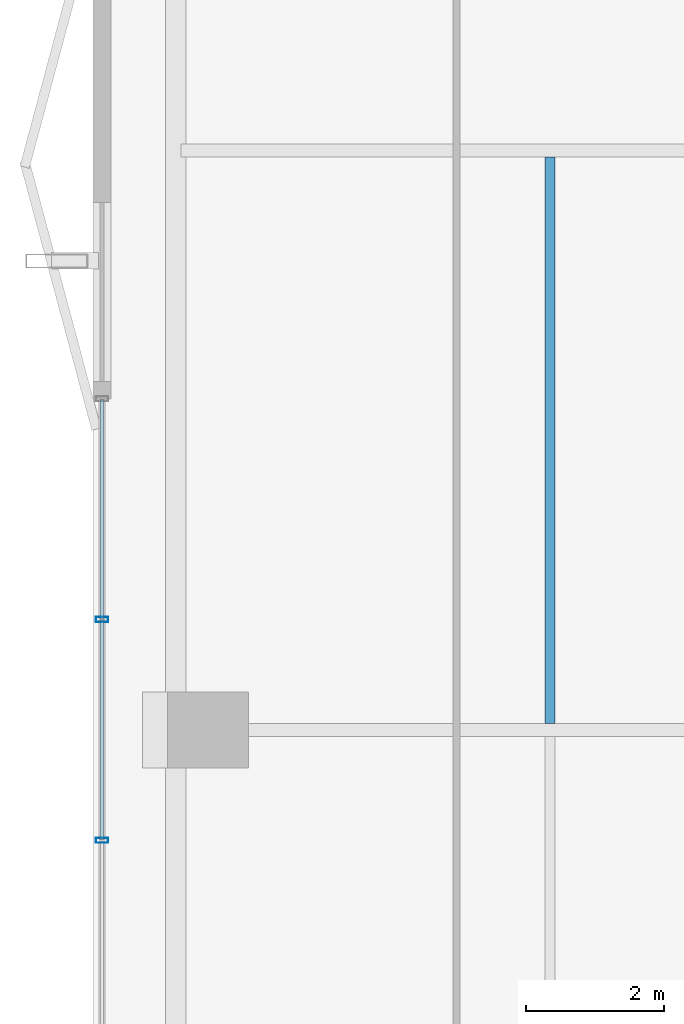
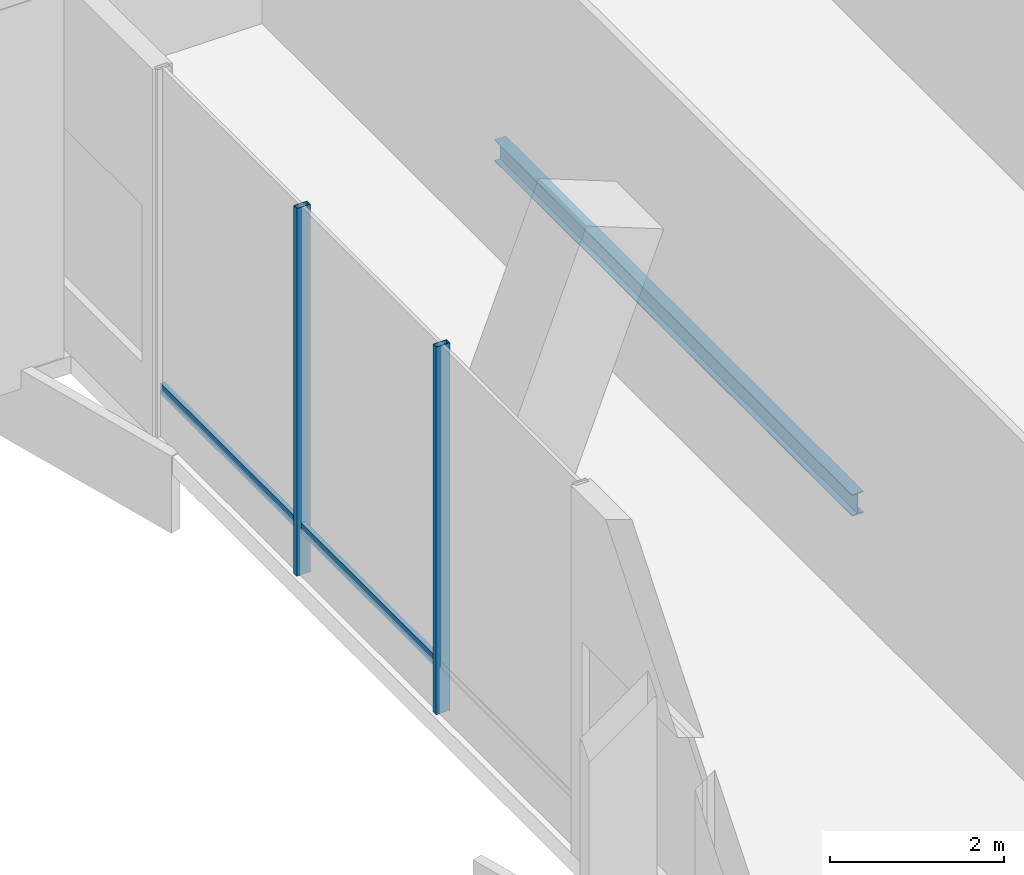
# One storey, part 9 of 33: 4 members, 1 beam, 1 element without a shape of its own.
"""IFC4 building model written with IfcOpenShell, lengths in metres."""

from ifc_helpers import new_model, si_unit, direction, frame, origin, origin_2d, place, context, subcontext, project, spatial, hollow_rectangle, i_section, extrude, material, layer, layer_set, material_profile, profile_set, type_object, element, aggregate, save


model = new_model("IFC4")

# Units and contexts
model_context = context("Model", 3, precision=1e-05, world=origin(), true_north=direction((0.0, 1.0)))
body_context = subcontext(model_context, "Body", "Model", "MODEL_VIEW")
ifc_project = project(units=[si_unit("LENGTHUNIT", "METRE"), si_unit("AREAUNIT", "SQUARE_METRE"), si_unit("VOLUMEUNIT", "CUBIC_METRE"), si_unit("PLANEANGLEUNIT", "RADIAN"), si_unit("MASSUNIT", "GRAM", prefix="KILO")], contexts=[model_context])

# Site, building, storey
site_placement = place(None, origin())
site = spatial("IfcSite", under=ifc_project, at=site_placement, CompositionType="ELEMENT")
building_placement = place(site_placement, origin())
building = spatial("IfcBuilding", under=site, at=building_placement, Name="Belovzor Exchange Tower", CompositionType="ELEMENT")
storey_placement = place(building_placement, frame((0.0, 0.0, 241.199951171875)))
storey = spatial("IfcBuildingStorey", under=building, at=storey_placement, Name="L60", CompositionType="ELEMENT", Elevation=241.199951171875)

# Beam
ifc_material_1 = material(Name="Steel S355", Category="steel")
ifc_material_profile_1 = material_profile(ifc_material_1, i_section(OverallWidth=0.14990234375, OverallDepth=0.300048828125, WebThickness=0.007080078125, FlangeThickness=0.0107421875, at=origin_2d()))
ifc_profile_set_1 = profile_set([ifc_material_profile_1], Name="Steel S355")
beam_type = type_object("IfcBeamType", Name="Secondary Trim Floor Joist IPE 300", PredefinedType="BEAM", material=ifc_profile_set_1)
beam_placement = place(storey_placement, frame((8.427001953125, 28.89501953125, -0.39990234375), z_axis=(0.0, 1.0, 0.0), x_axis=(-1.0, 0.0, 0.0)))
element("IfcBeam", 1, at=beam_placement, inside=storey, type_object=beam_type, Name="FJ-300 Secondary Trim Floor Joist IPE 300", PredefinedType="BEAM", context=body_context, shape_type="SweptSolid", body=[
    extrude(i_section(OverallWidth=0.14990234375, OverallDepth=0.300048828125, WebThickness=0.007080078125, FlangeThickness=0.0107421875, at=origin_2d()), origin(), (0.0, 0.0, 1.0), 8.2099609375),
])

# Curtain wall, members
ifc_material_2 = material(Name="Anodised Aluminium Framing", Category="aluminium")
ifc_layer = layer(ifc_material_2, 0.239990234375)
ifc_layer_set = layer_set([ifc_layer], Name="Anodised Aluminium Framing")
curtain_wall_type = type_object("IfcCurtainWallType", Name="Sky-Lobby Double-Skin Acoustic Curtain Wall", PredefinedType="NOTDEFINED", material=ifc_layer_set)
curtain_wall_placement = place(storey_placement, origin())
curtain_wall = element("IfcCurtainWall", 2, at=curtain_wall_placement, inside=storey, type_object=curtain_wall_type, Name="CW4 Sky-Lobby Double-Skin Acoustic Curtain Wall L60", PredefinedType="NOTDEFINED")
ifc_material_3 = material(Name="Steel S355", Category="steel")
ifc_material_profile_2 = material_profile(ifc_material_3, hollow_rectangle(XDim=0.074951171875, YDim=0.179931640625, WallThickness=0.0048828125, at=origin_2d()))
ifc_profile_set_2 = profile_set([ifc_material_profile_2], Name="Steel S355")
member_type_1 = type_object("IfcMemberType", Name="Thermally Broken Curtain Wall Mullion 180x75", PredefinedType="MULLION", material=ifc_profile_set_2)
member_1_placement = place(storey_placement, frame((1.929931640625, 27.199951171875, 0.0), z_axis=(0.0, 0.0, 1.0), x_axis=(0.0, 1.0, 0.0)))
member_1 = element("IfcMember", 3, at=member_1_placement, type_object=member_type_1, Name="CW-M180 Curtain Wall Mullion 2", PredefinedType="MULLION", context=body_context, shape_type="SweptSolid", body=[
    extrude(hollow_rectangle(XDim=0.074951171875, YDim=0.179931640625, WallThickness=0.0048828125, at=origin_2d()), origin(), (0.0, 0.0, 1.0), 5.150146484375),
])
member_2_placement = place(storey_placement, frame((1.929931640625, 30.39990234375, 0.0), z_axis=(0.0, 0.0, 1.0), x_axis=(0.0, 1.0, 0.0)))
member_2 = element("IfcMember", 4, at=member_2_placement, type_object=member_type_1, Name="CW-M180 Curtain Wall Mullion 3", PredefinedType="MULLION", context=body_context, shape_type="SweptSolid", body=[
    extrude(hollow_rectangle(XDim=0.074951171875, YDim=0.179931640625, WallThickness=0.0048828125, at=origin_2d()), origin(), (0.0, 0.0, 1.0), 5.150146484375),
])
ifc_material_4 = material(Name="Steel S355", Category="steel")
ifc_material_profile_3 = material_profile(ifc_material_4, hollow_rectangle(XDim=0.06005859375, YDim=0.14990234375, WallThickness=0.00390625, at=origin_2d()))
ifc_profile_set_3 = profile_set([ifc_material_profile_3], Name="Steel S355")
member_type_2 = type_object("IfcMemberType", Name="Thermally Broken Curtain Wall Transom 150x60", PredefinedType="USERDEFINED", material=ifc_profile_set_3)
member_3_placement = place(storey_placement, frame((1.929931640625, 27.2080078125, 0.650146484375), z_axis=(0.0, 1.0, 0.0), x_axis=(-1.0, 0.0, 0.0)))
member_3 = element("IfcMember", 5, at=member_3_placement, type_object=member_type_2, Name="CW-T150 Curtain Wall Transom 2", ObjectType="TRANSOM", PredefinedType="USERDEFINED", context=body_context, shape_type="SweptSolid", body=[
    extrude(hollow_rectangle(XDim=0.06005859375, YDim=0.14990234375, WallThickness=0.00390625, at=origin_2d()), origin(), (0.0, 0.0, 1.0), 3.18408203125),
])
member_4_placement = place(storey_placement, frame((1.929931640625, 30.407958984375, 0.650146484375), z_axis=(0.0, 1.0, 0.0), x_axis=(-1.0, 0.0, 0.0)))
member_4 = element("IfcMember", 6, at=member_4_placement, type_object=member_type_2, Name="CW-T150 Curtain Wall Transom 3", ObjectType="TRANSOM", PredefinedType="USERDEFINED", context=body_context, shape_type="SweptSolid", body=[
    extrude(hollow_rectangle(XDim=0.06005859375, YDim=0.14990234375, WallThickness=0.00390625, at=origin_2d()), origin(), (0.0, 0.0, 1.0), 3.18408203125),
])
aggregate(curtain_wall, [member_1, member_2, member_3, member_4])

save(model, "model.ifc")
